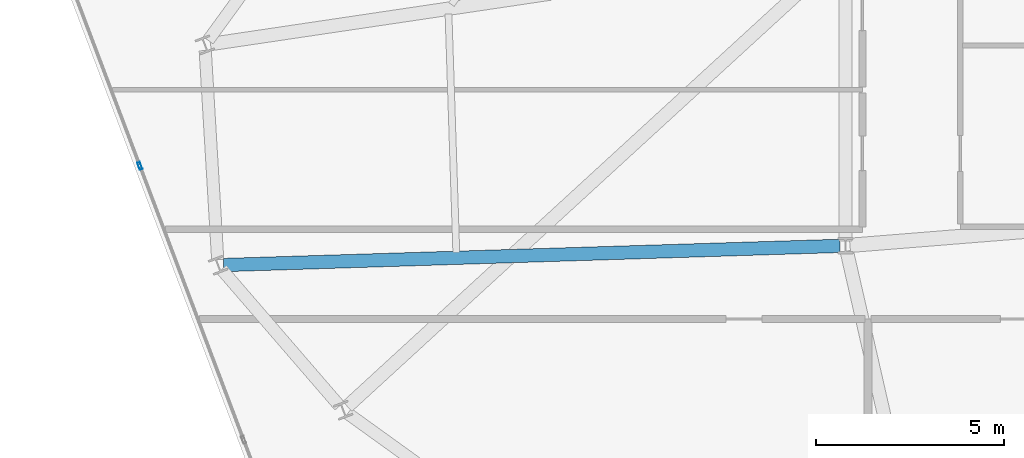
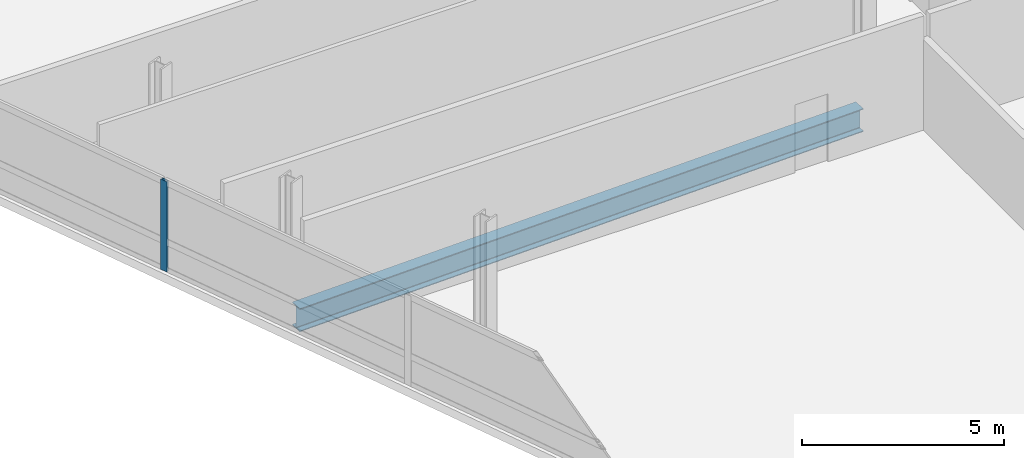
# One storey, part 8 of 24: 1 beam, 1 member, 1 element without a shape of its own.
"""IFC4 building model written with IfcOpenShell, lengths in metres."""

from ifc_helpers import new_model, si_unit, direction, frame, origin, origin_2d, place, context, subcontext, project, spatial, hollow_rectangle, i_section, extrude, material, layer, layer_set, material_profile, profile_set, type_object, element, aggregate, save


model = new_model("IFC4")

# Units and contexts
model_context = context("Model", 3, precision=1e-05, world=origin(), true_north=direction((0.0, 1.0)))
body_context = subcontext(model_context, "Body", "Model", "MODEL_VIEW")
ifc_project = project(units=[si_unit("LENGTHUNIT", "METRE"), si_unit("AREAUNIT", "SQUARE_METRE"), si_unit("VOLUMEUNIT", "CUBIC_METRE"), si_unit("PLANEANGLEUNIT", "RADIAN"), si_unit("MASSUNIT", "GRAM", prefix="KILO")], contexts=[model_context])

# Site, building, storey
site_placement = place(None, origin())
site = spatial("IfcSite", under=ifc_project, at=site_placement, CompositionType="ELEMENT")
building_placement = place(site_placement, origin())
building = spatial("IfcBuilding", under=site, at=building_placement, Name="Varnelok Gate Tower", CompositionType="ELEMENT")
storey_placement = place(building_placement, frame((0.0, 0.0, 242.300048828125)))
storey = spatial("IfcBuildingStorey", under=building, at=storey_placement, Name="L62", CompositionType="ELEMENT", Elevation=242.300048828125)

# Beam
ifc_material_1 = material(Name="Structural Steel ASTM A992 Grade 50", Category="steel")
ifc_material_profile_1 = material_profile(ifc_material_1, i_section(OverallWidth=0.35498046875, OverallDepth=0.696044921875, WebThickness=0.015380859375, FlangeThickness=0.02490234375, FilletRadius=0.02001953125, at=origin_2d()), Name="W27X146")
ifc_profile_set_1 = profile_set([ifc_material_profile_1], Name="Structural Steel ASTM A992 Grade 50")
beam_type = type_object("IfcBeamType", Name="BM-PRI-W27X146", PredefinedType="BEAM", material=ifc_profile_set_1)
beam_placement = place(storey_placement, frame((24.25, 18.79541015625, -0.59814453125), z_axis=(-0.999516665435, -0.031087546033, 0.0), x_axis=(0.031087546033, -0.999516665435, 0.0)))
element("IfcBeam", 1, at=beam_placement, inside=storey, type_object=beam_type, Name="L62 Radial Floor Girder 15", PredefinedType="BEAM", context=body_context, shape_type="SweptSolid", body=[
    extrude(i_section(OverallWidth=0.35498046875, OverallDepth=0.696044921875, WebThickness=0.015380859375, FlangeThickness=0.02490234375, FilletRadius=0.02001953125, at=origin_2d()), origin(), (0.0, 0.0, 1.0), 16.413330078125),
])

# Curtain wall, member
ifc_material_2 = material(Name="Anodized Aluminum Alloy 6063-T6", Category="aluminium")
ifc_layer = layer(ifc_material_2, 0.179931640625)
ifc_layer_set = layer_set([ifc_layer], Name="Anodized Aluminum Alloy 6063-T6")
curtain_wall_type = type_object("IfcCurtainWallType", Name="CW4-RESIDENCE-VISION", PredefinedType="USERDEFINED", material=ifc_layer_set)
curtain_wall_placement = place(storey_placement, origin())
curtain_wall = element("IfcCurtainWall", 2, at=curtain_wall_placement, inside=storey, type_object=curtain_wall_type, Name="L62 West End Vision Curtain Wall", ObjectType="UNITISED CURTAIN WALL", PredefinedType="USERDEFINED")
ifc_material_profile_2 = material_profile(ifc_material_2, hollow_rectangle(XDim=0.074951171875, YDim=0.199951171875, WallThickness=0.00390625, at=origin_2d()), Name="ALU200X75X4")
ifc_profile_set_2 = profile_set([ifc_material_profile_2], Name="Anodized Aluminum Alloy 6063-T6")
member_type = type_object("IfcMemberType", Name="CW-MULL-200", PredefinedType="MULLION", material=ifc_profile_set_2)
member_placement = place(storey_placement, frame((5.61328125, 20.9248046875, 0.0), z_axis=(0.0, 0.0, 1.0), x_axis=(-0.935221557832, -0.354063042079, 0.0)))
member = element("IfcMember", 3, at=member_placement, type_object=member_type, Name="CW4 mullion 4", PredefinedType="MULLION", context=body_context, shape_type="SweptSolid", body=[
    extrude(hollow_rectangle(XDim=0.074951171875, YDim=0.199951171875, WallThickness=0.00390625, at=origin_2d()), origin(), (0.0, 0.0, 1.0), 2.72998046875),
])
aggregate(curtain_wall, [member])

save(model, "model.ifc")
